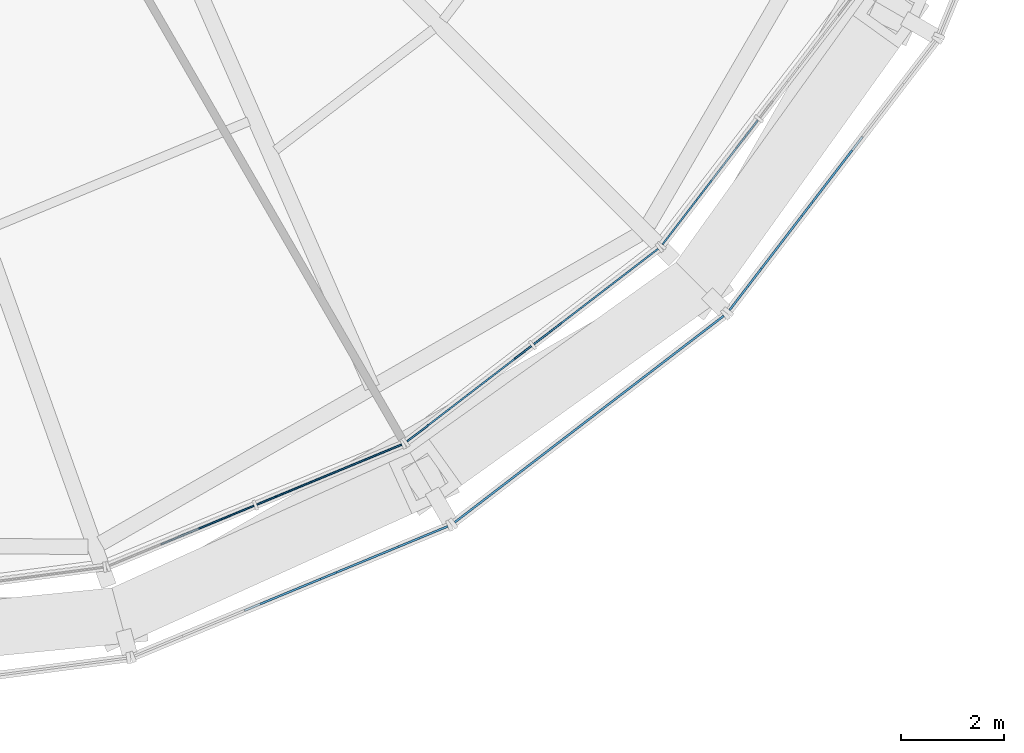
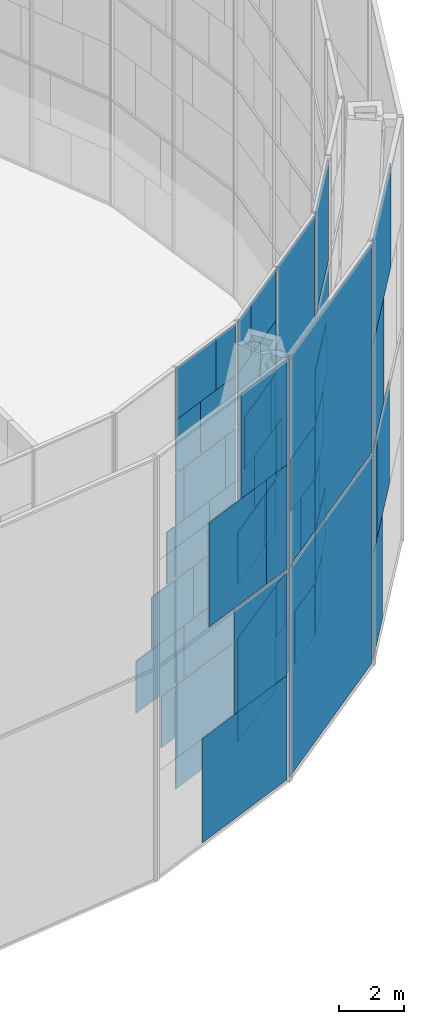
# One storey, part 18 of 30: 63 plates, 6 elements without a shape of their own.
"""IFC4 building model written with IfcOpenShell, lengths in metres."""

from ifc_helpers import new_model, si_unit, direction, frame, origin, origin_2d, place, context, subcontext, project, spatial, rectangle, extrude, material, layer, layer_set, type_object, element, aggregate, save


model = new_model("IFC4")

# Units and contexts
model_context = context("Model", 3, precision=1e-05, world=origin(), true_north=direction((0.0, 1.0)))
body_context = subcontext(model_context, "Body", "Model", "MODEL_VIEW")
ifc_project = project(units=[si_unit("LENGTHUNIT", "METRE"), si_unit("AREAUNIT", "SQUARE_METRE"), si_unit("VOLUMEUNIT", "CUBIC_METRE"), si_unit("PLANEANGLEUNIT", "RADIAN"), si_unit("MASSUNIT", "GRAM", prefix="KILO")], contexts=[model_context])

# Site, building, storey
site_placement = place(None, origin())
site = spatial("IfcSite", under=ifc_project, at=site_placement, CompositionType="ELEMENT")
building_placement = place(site_placement, origin())
building = spatial("IfcBuilding", under=site, at=building_placement, Name="Golbaran Civic Tower", CompositionType="ELEMENT")
storey_placement = place(building_placement, frame((0.0, 0.0, 167.0)))
storey = spatial("IfcBuildingStorey", under=building, at=storey_placement, Name="L40", CompositionType="ELEMENT", Elevation=167.0)

# Curtain wall, plates
ifc_material_1 = material(Name="Aluminium and glass", Category="aluminium")
curtain_wall_type_1 = type_object("IfcCurtainWallType", Name="INNER SKIN CURTAIN WALL EXECUTIVE", PredefinedType="NOTDEFINED", material=ifc_material_1)
curtain_wall_1_placement = place(storey_placement, origin())
curtain_wall_1 = element("IfcCurtainWall", 1, at=curtain_wall_1_placement, inside=storey, type_object=curtain_wall_type_1, Name="Inner skin L40 facet 20 CW2", ObjectType="INNER SKIN", PredefinedType="USERDEFINED")
ifc_material_2 = material(Name="Clear insulating glass", Category="glass")
ifc_layer_1 = layer(ifc_material_2, 0.031982421875, Name="Clear insulating glass")
ifc_layer_set_1 = layer_set([ifc_layer_1], Name="Clear insulating glass")
plate_type_1 = type_object("IfcPlateType", Name="INNER SKIN CURTAIN WALL EXECUTIVE GLAZED PANEL", PredefinedType="CURTAIN_PANEL", material=ifc_layer_set_1)
plate_1_placement = place(storey_placement, frame((8.7939453125, -22.20166015625, 2.014892578125), z_axis=(0.0, 0.0, 1.0), x_axis=(0.923879532471, 0.382683432462, 0.0)))
plate_1 = element("IfcPlate", 2, at=plate_1_placement, type_object=plate_type_1, Name="CW2 panel 1.1 part 4", PredefinedType="CURTAIN_PANEL", context=body_context, shape_type="SweptSolid", body=[
    extrude(rectangle(XDim=0.683349609375, YDim=0.031982421875, at=origin_2d()), origin(), (0.0, 0.0, 1.0), 1.955078125),
])
plate_2_placement = place(storey_placement, frame((10.575439453125, -21.463623046875, 0.06005859375), z_axis=(0.0, 0.0, 1.0), x_axis=(0.923879532471, 0.382683432462, 0.0)))
plate_2 = element("IfcPlate", 3, at=plate_2_placement, type_object=plate_type_1, Name="CW2 panel 2.1", PredefinedType="CURTAIN_PANEL", context=body_context, shape_type="SweptSolid", body=[
    extrude(rectangle(XDim=3.053466796875, YDim=0.031982421875, at=origin_2d()), origin(), (0.0, 0.0, 1.0), 3.909912109375),
])
plate_3_placement = place(storey_placement, frame((10.7607421875, -21.386962890625, 4.02978515625), z_axis=(0.0, 0.0, 1.0), x_axis=(0.923879532471, 0.382683432462, 0.0)))
plate_3 = element("IfcPlate", 4, at=plate_3_placement, type_object=plate_type_1, Name="CW2 panel 2.2 part 2", PredefinedType="CURTAIN_PANEL", context=body_context, shape_type="SweptSolid", body=[
    extrude(rectangle(XDim=2.65234375, YDim=0.031982421875, at=origin_2d()), origin(), (0.0, 0.0, 1.0), 1.969970703125),
])
plate_4_placement = place(storey_placement, frame((10.984375, -21.29443359375, 6.0), z_axis=(0.0, 0.0, 1.0), x_axis=(0.923879532471, 0.382683432462, 0.0)))
plate_4 = element("IfcPlate", 5, at=plate_4_placement, type_object=plate_type_1, Name="CW2 panel 2.2 part 4", PredefinedType="CURTAIN_PANEL", context=body_context, shape_type="SweptSolid", body=[
    extrude(rectangle(XDim=2.16845703125, YDim=0.031982421875, at=origin_2d()), origin(), (0.0, 0.0, 1.0), 1.969970703125),
])
plate_5_placement = place(storey_placement, frame((11.365966796875, -21.13623046875, 8.02978515625), z_axis=(0.0, 0.0, 1.0), x_axis=(0.923879532471, 0.382683432462, 0.0)))
plate_5 = element("IfcPlate", 6, at=plate_5_placement, type_object=plate_type_1, Name="CW2 panel 2.3 part 2", PredefinedType="CURTAIN_PANEL", context=body_context, shape_type="SweptSolid", body=[
    extrude(rectangle(XDim=1.342529296875, YDim=0.031982421875, at=origin_2d()), origin(), (0.0, 0.0, 1.0), 1.969970703125),
])
plate_6_placement = place(storey_placement, frame((9.35302734375, -21.969970703125, 10.0), z_axis=(0.0, 0.0, 1.0), x_axis=(0.923879532471, 0.382683432462, 0.0)))
plate_6 = element("IfcPlate", 7, at=plate_6_placement, type_object=plate_type_1, Name="CW2 panel 2.3 part 3", PredefinedType="CURTAIN_PANEL", context=body_context, shape_type="SweptSolid", body=[
    extrude(rectangle(XDim=0.406982421875, YDim=0.031982421875, at=origin_2d()), origin(), (0.0, 0.0, 1.0), 1.969970703125),
])
plate_7_placement = place(storey_placement, frame((11.73681640625, -20.982666015625, 10.0), z_axis=(0.0, 0.0, 1.0), x_axis=(0.923879532471, 0.382683432462, 0.0)))
plate_7 = element("IfcPlate", 8, at=plate_7_placement, type_object=plate_type_1, Name="CW2 panel 2.3 part 5", PredefinedType="CURTAIN_PANEL", context=body_context, shape_type="SweptSolid", body=[
    extrude(rectangle(XDim=0.53955078125, YDim=0.031982421875, at=origin_2d()), origin(), (0.0, 0.0, 1.0), 1.969970703125),
])
plate_8_placement = place(storey_placement, frame((9.735107421875, -21.811767578125, 12.030029296875), z_axis=(0.0, 0.0, 1.0), x_axis=(0.923879532471, 0.382683432462, 0.0)))
plate_8 = element("IfcPlate", 9, at=plate_8_placement, type_object=plate_type_1, Name="CW2 panel 2.4 part 1", PredefinedType="CURTAIN_PANEL", context=body_context, shape_type="SweptSolid", body=[
    extrude(rectangle(XDim=1.23388671875, YDim=0.031982421875, at=origin_2d()), origin(), (0.0, 0.0, 1.0), 1.955078125),
])
plate_9_placement = place(storey_placement, frame((10.102783203125, -21.659423828125, 13.98486328125), z_axis=(0.0, 0.0, 1.0), x_axis=(0.923879532471, 0.382683432462, 0.0)))
plate_9 = element("IfcPlate", 10, at=plate_9_placement, type_object=plate_type_1, Name="CW2 panel 2.4 part 3", PredefinedType="CURTAIN_PANEL", context=body_context, shape_type="SweptSolid", body=[
    extrude(rectangle(XDim=2.030029296875, YDim=0.031982421875, at=origin_2d()), origin(), (0.0, 0.0, 1.0), 1.955078125),
])

curtain_wall_2_placement = place(storey_placement, origin())
curtain_wall_2 = element("IfcCurtainWall", 11, at=curtain_wall_2_placement, inside=storey, type_object=curtain_wall_type_1, Name="Inner skin L40 facet 21 CW2", ObjectType="INNER SKIN", PredefinedType="USERDEFINED")
plate_10_placement = place(storey_placement, frame((13.30029296875, -19.890625, 0.06005859375), z_axis=(0.0, 0.0, 1.0), x_axis=(0.79335334027, 0.608761429036, 0.0)))
plate_10 = element("IfcPlate", 12, at=plate_10_placement, type_object=plate_type_1, Name="CW2 panel 1.1", PredefinedType="CURTAIN_PANEL", context=body_context, shape_type="SweptSolid", body=[
    extrude(rectangle(XDim=3.053466796875, YDim=0.031982421875, at=origin_2d()), origin(), (0.0, 0.0, 1.0), 3.909912109375),
])
plate_11_placement = place(storey_placement, frame((13.14111328125, -20.0126953125, 4.02978515625), z_axis=(0.0, 0.0, 1.0), x_axis=(0.79335334027, 0.608761429036, 0.0)))
plate_11 = element("IfcPlate", 13, at=plate_11_placement, type_object=plate_type_1, Name="CW2 panel 1.2 part 1", PredefinedType="CURTAIN_PANEL", context=body_context, shape_type="SweptSolid", body=[
    extrude(rectangle(XDim=2.652099609375, YDim=0.031982421875, at=origin_2d()), origin(), (0.0, 0.0, 1.0), 1.969970703125),
])
plate_12_placement = place(storey_placement, frame((12.949462890625, -20.15966796875, 6.0), z_axis=(0.0, 0.0, 1.0), x_axis=(0.79335334027, 0.608761429036, 0.0)))
plate_12 = element("IfcPlate", 14, at=plate_12_placement, type_object=plate_type_1, Name="CW2 panel 1.2 part 3", PredefinedType="CURTAIN_PANEL", context=body_context, shape_type="SweptSolid", body=[
    extrude(rectangle(XDim=2.1689453125, YDim=0.031982421875, at=origin_2d()), origin(), (0.0, 0.0, 1.0), 1.969970703125),
])
plate_13_placement = place(storey_placement, frame((12.621337890625, -20.411376953125, 8.02978515625), z_axis=(0.0, 0.0, 1.0), x_axis=(0.79335334027, 0.608761429036, 0.0)))
plate_13 = element("IfcPlate", 15, at=plate_13_placement, type_object=plate_type_1, Name="CW2 panel 1.3 part 1", PredefinedType="CURTAIN_PANEL", context=body_context, shape_type="SweptSolid", body=[
    extrude(rectangle(XDim=1.342041015625, YDim=0.031982421875, at=origin_2d()), origin(), (0.0, 0.0, 1.0), 1.969970703125),
])
plate_14_placement = place(storey_placement, frame((12.30322265625, -20.655517578125, 10.0), z_axis=(0.0, 0.0, 1.0), x_axis=(0.79335334027, 0.608761429036, 0.0)))
plate_14 = element("IfcPlate", 16, at=plate_14_placement, type_object=plate_type_1, Name="CW2 panel 1.3 part 3", PredefinedType="CURTAIN_PANEL", context=body_context, shape_type="SweptSolid", body=[
    extrude(rectangle(XDim=0.5400390625, YDim=0.031982421875, at=origin_2d()), origin(), (0.0, 0.0, 1.0), 1.969970703125),
])
plate_15_placement = place(storey_placement, frame((14.349853515625, -19.085205078125, 10.0), z_axis=(0.0, 0.0, 1.0), x_axis=(0.79335334027, 0.608761429036, 0.0)))
plate_15 = element("IfcPlate", 17, at=plate_15_placement, type_object=plate_type_1, Name="CW2 panel 1.3 part 5", PredefinedType="CURTAIN_PANEL", context=body_context, shape_type="SweptSolid", body=[
    extrude(rectangle(XDim=0.407470703125, YDim=0.031982421875, at=origin_2d()), origin(), (0.0, 0.0, 1.0), 1.969970703125),
])
plate_16_placement = place(storey_placement, frame((14.022216796875, -19.336669921875, 12.030029296875), z_axis=(0.0, 0.0, 1.0), x_axis=(0.79335334027, 0.608761429036, 0.0)))
plate_16 = element("IfcPlate", 18, at=plate_16_placement, type_object=plate_type_1, Name="CW2 panel 1.4 part 2", PredefinedType="CURTAIN_PANEL", context=body_context, shape_type="SweptSolid", body=[
    extrude(rectangle(XDim=1.2333984375, YDim=0.031982421875, at=origin_2d()), origin(), (0.0, 0.0, 1.0), 1.955078125),
])
plate_17_placement = place(storey_placement, frame((13.70654296875, -19.578857421875, 13.98486328125), z_axis=(0.0, 0.0, 1.0), x_axis=(0.79335334027, 0.608761429036, 0.0)))
plate_17 = element("IfcPlate", 19, at=plate_17_placement, type_object=plate_type_1, Name="CW2 panel 1.4 part 4", PredefinedType="CURTAIN_PANEL", context=body_context, shape_type="SweptSolid", body=[
    extrude(rectangle(XDim=2.029541015625, YDim=0.031982421875, at=origin_2d()), origin(), (0.0, 0.0, 1.0), 1.955078125),
])
plate_18_placement = place(storey_placement, frame((15.146240234375, -18.47412109375, 0.06005859375), z_axis=(0.0, 0.0, 1.0), x_axis=(0.79335334027, 0.608761429036, 0.0)))
plate_18 = element("IfcPlate", 20, at=plate_18_placement, type_object=plate_type_1, Name="CW2 panel 2.1 part 1", PredefinedType="CURTAIN_PANEL", context=body_context, shape_type="SweptSolid", body=[
    extrude(rectangle(XDim=1.47998046875, YDim=0.031982421875, at=origin_2d()), origin(), (0.0, 0.0, 1.0), 1.955078125),
])
plate_19_placement = place(storey_placement, frame((14.83056640625, -18.71630859375, 2.014892578125), z_axis=(0.0, 0.0, 1.0), x_axis=(0.79335334027, 0.608761429036, 0.0)))
plate_19 = element("IfcPlate", 21, at=plate_19_placement, type_object=plate_type_1, Name="CW2 panel 2.1 part 3", PredefinedType="CURTAIN_PANEL", context=body_context, shape_type="SweptSolid", body=[
    extrude(rectangle(XDim=0.68408203125, YDim=0.031982421875, at=origin_2d()), origin(), (0.0, 0.0, 1.0), 1.955078125),
])
plate_20_placement = place(storey_placement, frame((16.549560546875, -17.3974609375, 4.02978515625), z_axis=(0.0, 0.0, 1.0), x_axis=(0.79335334027, 0.608761429036, 0.0)))
plate_20 = element("IfcPlate", 22, at=plate_20_placement, type_object=plate_type_1, Name="CW2 panel 2.2 part 2", PredefinedType="CURTAIN_PANEL", context=body_context, shape_type="SweptSolid", body=[
    extrude(rectangle(XDim=1.08935546875, YDim=0.031982421875, at=origin_2d()), origin(), (0.0, 0.0, 1.0), 1.969970703125),
])
plate_21_placement = place(storey_placement, frame((16.23095703125, -17.641845703125, 6.0), z_axis=(0.0, 0.0, 1.0), x_axis=(0.79335334027, 0.608761429036, 0.0)))
plate_21 = element("IfcPlate", 23, at=plate_21_placement, type_object=plate_type_1, Name="CW2 panel 2.2 part 4", PredefinedType="CURTAIN_PANEL", context=body_context, shape_type="SweptSolid", body=[
    extrude(rectangle(XDim=1.892578125, YDim=0.031982421875, at=origin_2d()), origin(), (0.0, 0.0, 1.0), 1.969970703125),
])
plate_22_placement = place(storey_placement, frame((15.929443359375, -17.873046875, 8.02978515625), z_axis=(0.0, 0.0, 1.0), x_axis=(0.79335334027, 0.608761429036, 0.0)))
plate_22 = element("IfcPlate", 24, at=plate_22_placement, type_object=plate_type_1, Name="CW2 panel 2.3 part 2", PredefinedType="CURTAIN_PANEL", context=body_context, shape_type="SweptSolid", body=[
    extrude(rectangle(XDim=2.65234375, YDim=0.031982421875, at=origin_2d()), origin(), (0.0, 0.0, 1.0), 1.969970703125),
])
plate_23_placement = place(storey_placement, frame((15.7705078125, -17.9951171875, 10.0), z_axis=(0.0, 0.0, 1.0), x_axis=(0.79335334027, 0.608761429036, 0.0)))
plate_23 = element("IfcPlate", 25, at=plate_23_placement, type_object=plate_type_1, Name="CW2 panel 2.3 part 3", PredefinedType="CURTAIN_PANEL", context=body_context, shape_type="SweptSolid", body=[
    extrude(rectangle(XDim=3.053466796875, YDim=0.031982421875, at=origin_2d()), origin(), (0.0, 0.0, 1.0), 1.969970703125),
])
plate_24_placement = place(storey_placement, frame((15.7705078125, -17.9951171875, 12.0302734375), z_axis=(0.0, 0.0, 1.0), x_axis=(0.79335334027, 0.608761429036, 0.0)))
plate_24 = element("IfcPlate", 26, at=plate_24_placement, type_object=plate_type_1, Name="CW2 panel 2.4", PredefinedType="CURTAIN_PANEL", context=body_context, shape_type="SweptSolid", body=[
    extrude(rectangle(XDim=3.053466796875, YDim=0.031982421875, at=origin_2d()), origin(), (0.0, 0.0, 1.0), 3.909912109375),
])

curtain_wall_3_placement = place(storey_placement, origin())
curtain_wall_3 = element("IfcCurtainWall", 27, at=curtain_wall_3_placement, inside=storey, type_object=curtain_wall_type_1, Name="Inner skin L40 facet 22 CW2", ObjectType="INNER SKIN", PredefinedType="USERDEFINED")
plate_25_placement = place(storey_placement, frame((17.3974609375, -16.54931640625, 4.02978515625), z_axis=(0.0, 0.0, 1.0), x_axis=(0.608761429036, 0.79335334027, 0.0)))
plate_25 = element("IfcPlate", 28, at=plate_25_placement, type_object=plate_type_1, Name="CW2 panel 1.2 part 1", PredefinedType="CURTAIN_PANEL", context=body_context, shape_type="SweptSolid", body=[
    extrude(rectangle(XDim=1.090087890625, YDim=0.031982421875, at=origin_2d()), origin(), (0.0, 0.0, 1.0), 1.969970703125),
])
plate_26_placement = place(storey_placement, frame((17.6416015625, -16.231201171875, 6.0), z_axis=(0.0, 0.0, 1.0), x_axis=(0.608761429036, 0.79335334027, 0.0)))
plate_26 = element("IfcPlate", 29, at=plate_26_placement, type_object=plate_type_1, Name="CW2 panel 1.2 part 3", PredefinedType="CURTAIN_PANEL", context=body_context, shape_type="SweptSolid", body=[
    extrude(rectangle(XDim=1.89208984375, YDim=0.031982421875, at=origin_2d()), origin(), (0.0, 0.0, 1.0), 1.969970703125),
])
plate_27_placement = place(storey_placement, frame((17.873046875, -15.9296875, 8.02978515625), z_axis=(0.0, 0.0, 1.0), x_axis=(0.608761429036, 0.79335334027, 0.0)))
plate_27 = element("IfcPlate", 30, at=plate_27_placement, type_object=plate_type_1, Name="CW2 panel 1.3 part 1", PredefinedType="CURTAIN_PANEL", context=body_context, shape_type="SweptSolid", body=[
    extrude(rectangle(XDim=2.652099609375, YDim=0.031982421875, at=origin_2d()), origin(), (0.0, 0.0, 1.0), 1.969970703125),
])
plate_28_placement = place(storey_placement, frame((17.9951171875, -15.7705078125, 10.0), z_axis=(0.0, 0.0, 1.0), x_axis=(0.608761429036, 0.79335334027, 0.0)))
plate_28 = element("IfcPlate", 31, at=plate_28_placement, type_object=plate_type_1, Name="CW2 panel 1.3 part 3", PredefinedType="CURTAIN_PANEL", context=body_context, shape_type="SweptSolid", body=[
    extrude(rectangle(XDim=3.053466796875, YDim=0.031982421875, at=origin_2d()), origin(), (0.0, 0.0, 1.0), 1.969970703125),
])
plate_29_placement = place(storey_placement, frame((17.9951171875, -15.7705078125, 12.0302734375), z_axis=(0.0, 0.0, 1.0), x_axis=(0.608761429036, 0.79335334027, 0.0)))
plate_29 = element("IfcPlate", 32, at=plate_29_placement, type_object=plate_type_1, Name="CW2 panel 1.4", PredefinedType="CURTAIN_PANEL", context=body_context, shape_type="SweptSolid", body=[
    extrude(rectangle(XDim=3.053466796875, YDim=0.031982421875, at=origin_2d()), origin(), (0.0, 0.0, 1.0), 3.909912109375),
])

# Plate
ifc_material_3 = material(Name="Aluminium faced opaque infill panel", Category="aluminium")
ifc_layer_2 = layer(ifc_material_3, 0.031982421875, Name="Aluminium faced opaque infill panel")
ifc_layer_set_2 = layer_set([ifc_layer_2], Name="Aluminium faced opaque infill panel")
plate_type_2 = type_object("IfcPlateType", Name="INNER SKIN CURTAIN WALL EXECUTIVE OPAQUE INFILL PANEL", PredefinedType="CURTAIN_PANEL", material=ifc_layer_set_2)
plate_30_placement = place(storey_placement, frame((8.20263671875, -22.446533203125, 4.02978515625), z_axis=(0.0, 0.0, 1.0), x_axis=(0.923879532471, 0.382683432462, 0.0)))
plate_30 = element("IfcPlate", 33, at=plate_30_placement, type_object=plate_type_2, Name="CW2 infill panel 1.2 part 2", PredefinedType="CURTAIN_PANEL", context=body_context, shape_type="SweptSolid", body=[
    extrude(rectangle(XDim=1.96337890625, YDim=0.031982421875, at=origin_2d()), origin(), (0.0, 0.0, 1.0), 1.969970703125),
])

plate_31_placement = place(storey_placement, frame((8.572998046875, -22.293212890625, 6.0), z_axis=(0.0, 0.0, 1.0), x_axis=(0.923879532471, 0.382683432462, 0.0)))
plate_31 = element("IfcPlate", 34, at=plate_31_placement, type_object=plate_type_2, Name="CW2 infill panel 1.2 part 4", PredefinedType="CURTAIN_PANEL", context=body_context, shape_type="SweptSolid", body=[
    extrude(rectangle(XDim=1.161376953125, YDim=0.031982421875, at=origin_2d()), origin(), (0.0, 0.0, 1.0), 1.969970703125),
])

plate_32_placement = place(storey_placement, frame((8.924072265625, -22.147705078125, 8.02978515625), z_axis=(0.0, 0.0, 1.0), x_axis=(0.923879532471, 0.382683432462, 0.0)))
plate_32 = element("IfcPlate", 35, at=plate_32_placement, type_object=plate_type_2, Name="CW2 infill panel 1.3 part 2", PredefinedType="CURTAIN_PANEL", context=body_context, shape_type="SweptSolid", body=[
    extrude(rectangle(XDim=0.4013671875, YDim=0.031982421875, at=origin_2d()), origin(), (0.0, 0.0, 1.0), 1.969970703125),
])

plate_33_placement = place(storey_placement, frame((9.350341796875, -21.97119140625, 4.02978515625), z_axis=(0.0, 0.0, 1.0), x_axis=(0.923879532471, 0.382683432462, 0.0)))
plate_33 = element("IfcPlate", 36, at=plate_33_placement, type_object=plate_type_2, Name="CW2 infill panel 2.2 part 1", PredefinedType="CURTAIN_PANEL", context=body_context, shape_type="SweptSolid", body=[
    extrude(rectangle(XDim=0.40087890625, YDim=0.031982421875, at=origin_2d()), origin(), (0.0, 0.0, 1.0), 1.969970703125),
])

plate_34_placement = place(storey_placement, frame((9.573974609375, -21.878662109375, 6.0), z_axis=(0.0, 0.0, 1.0), x_axis=(0.923879532471, 0.382683432462, 0.0)))
plate_34 = element("IfcPlate", 37, at=plate_34_placement, type_object=plate_type_2, Name="CW2 infill panel 2.2 part 3", PredefinedType="CURTAIN_PANEL", context=body_context, shape_type="SweptSolid", body=[
    extrude(rectangle(XDim=0.885009765625, YDim=0.031982421875, at=origin_2d()), origin(), (0.0, 0.0, 1.0), 1.969970703125),
])

plate_35_placement = place(storey_placement, frame((9.955322265625, -21.720458984375, 8.02978515625), z_axis=(0.0, 0.0, 1.0), x_axis=(0.923879532471, 0.382683432462, 0.0)))
plate_35 = element("IfcPlate", 38, at=plate_35_placement, type_object=plate_type_2, Name="CW2 infill panel 2.3 part 1", PredefinedType="CURTAIN_PANEL", context=body_context, shape_type="SweptSolid", body=[
    extrude(rectangle(XDim=1.7109375, YDim=0.031982421875, at=origin_2d()), origin(), (0.0, 0.0, 1.0), 1.969970703125),
])

plate_36_placement = place(storey_placement, frame((10.514404296875, -21.489013671875, 10.0), z_axis=(0.0, 0.0, 1.0), x_axis=(0.923879532471, 0.382683432462, 0.0)))
plate_36 = element("IfcPlate", 39, at=plate_36_placement, type_object=plate_type_2, Name="CW2 infill panel 2.3 part 4", PredefinedType="CURTAIN_PANEL", context=body_context, shape_type="SweptSolid", body=[
    extrude(rectangle(XDim=2.10693359375, YDim=0.031982421875, at=origin_2d()), origin(), (0.0, 0.0, 1.0), 1.969970703125),
])

plate_37_placement = place(storey_placement, frame((11.1455078125, -21.2275390625, 12.030029296875), z_axis=(0.0, 0.0, 1.0), x_axis=(0.923879532471, 0.382683432462, 0.0)))
plate_37 = element("IfcPlate", 40, at=plate_37_placement, type_object=plate_type_2, Name="CW2 infill panel 2.4 part 2", PredefinedType="CURTAIN_PANEL", context=body_context, shape_type="SweptSolid", body=[
    extrude(rectangle(XDim=1.819580078125, YDim=0.031982421875, at=origin_2d()), origin(), (0.0, 0.0, 1.0), 1.955078125),
])

plate_38_placement = place(storey_placement, frame((11.51318359375, -21.0751953125, 13.98486328125), z_axis=(0.0, 0.0, 1.0), x_axis=(0.923879532471, 0.382683432462, 0.0)))
plate_38 = element("IfcPlate", 41, at=plate_38_placement, type_object=plate_type_2, Name="CW2 infill panel 2.4 part 4", PredefinedType="CURTAIN_PANEL", context=body_context, shape_type="SweptSolid", body=[
    extrude(rectangle(XDim=1.0234375, YDim=0.031982421875, at=origin_2d()), origin(), (0.0, 0.0, 1.0), 1.955078125),
])

aggregate(curtain_wall_1, [plate_1, plate_30, plate_31, plate_32, plate_2, plate_33, plate_3, plate_34, plate_4, plate_35, plate_5, plate_6, plate_36, plate_7, plate_8, plate_37, plate_9, plate_38])

plate_39_placement = place(storey_placement, frame((14.352294921875, -19.083251953125, 4.02978515625), z_axis=(0.0, 0.0, 1.0), x_axis=(0.79335334027, 0.608761429036, 0.0)))
plate_39 = element("IfcPlate", 42, at=plate_39_placement, type_object=plate_type_2, Name="CW2 infill panel 1.2 part 2", PredefinedType="CURTAIN_PANEL", context=body_context, shape_type="SweptSolid", body=[
    extrude(rectangle(XDim=0.4013671875, YDim=0.031982421875, at=origin_2d()), origin(), (0.0, 0.0, 1.0), 1.969970703125),
])

plate_40_placement = place(storey_placement, frame((14.16064453125, -19.23046875, 6.0), z_axis=(0.0, 0.0, 1.0), x_axis=(0.79335334027, 0.608761429036, 0.0)))
plate_40 = element("IfcPlate", 43, at=plate_40_placement, type_object=plate_type_2, Name="CW2 infill panel 1.2 part 4", PredefinedType="CURTAIN_PANEL", context=body_context, shape_type="SweptSolid", body=[
    extrude(rectangle(XDim=0.884521484375, YDim=0.031982421875, at=origin_2d()), origin(), (0.0, 0.0, 1.0), 1.969970703125),
])

plate_41_placement = place(storey_placement, frame((13.832763671875, -19.482177734375, 8.02978515625), z_axis=(0.0, 0.0, 1.0), x_axis=(0.79335334027, 0.608761429036, 0.0)))
plate_41 = element("IfcPlate", 44, at=plate_41_placement, type_object=plate_type_2, Name="CW2 infill panel 1.3 part 2", PredefinedType="CURTAIN_PANEL", context=body_context, shape_type="SweptSolid", body=[
    extrude(rectangle(XDim=1.71142578125, YDim=0.031982421875, at=origin_2d()), origin(), (0.0, 0.0, 1.0), 1.969970703125),
])

plate_42_placement = place(storey_placement, frame((13.35302734375, -19.85009765625, 10.0), z_axis=(0.0, 0.0, 1.0), x_axis=(0.79335334027, 0.608761429036, 0.0)))
plate_42 = element("IfcPlate", 45, at=plate_42_placement, type_object=plate_type_2, Name="CW2 infill panel 1.3 part 4", PredefinedType="CURTAIN_PANEL", context=body_context, shape_type="SweptSolid", body=[
    extrude(rectangle(XDim=2.10595703125, YDim=0.031982421875, at=origin_2d()), origin(), (0.0, 0.0, 1.0), 1.969970703125),
])

plate_43_placement = place(storey_placement, frame((12.81103515625, -20.26611328125, 12.030029296875), z_axis=(0.0, 0.0, 1.0), x_axis=(0.79335334027, 0.608761429036, 0.0)))
plate_43 = element("IfcPlate", 46, at=plate_43_placement, type_object=plate_type_2, Name="CW2 infill panel 1.4 part 1", PredefinedType="CURTAIN_PANEL", context=body_context, shape_type="SweptSolid", body=[
    extrude(rectangle(XDim=1.820068359375, YDim=0.031982421875, at=origin_2d()), origin(), (0.0, 0.0, 1.0), 1.955078125),
])

plate_44_placement = place(storey_placement, frame((12.495361328125, -20.50830078125, 13.98486328125), z_axis=(0.0, 0.0, 1.0), x_axis=(0.79335334027, 0.608761429036, 0.0)))
plate_44 = element("IfcPlate", 47, at=plate_44_placement, type_object=plate_type_2, Name="CW2 infill panel 1.4 part 3", PredefinedType="CURTAIN_PANEL", context=body_context, shape_type="SweptSolid", body=[
    extrude(rectangle(XDim=1.02392578125, YDim=0.031982421875, at=origin_2d()), origin(), (0.0, 0.0, 1.0), 1.955078125),
])

plate_45_placement = place(storey_placement, frame((16.357421875, -17.544677734375, 0.06005859375), z_axis=(0.0, 0.0, 1.0), x_axis=(0.79335334027, 0.608761429036, 0.0)))
plate_45 = element("IfcPlate", 48, at=plate_45_placement, type_object=plate_type_2, Name="CW2 infill panel 2.1 part 2", PredefinedType="CURTAIN_PANEL", context=body_context, shape_type="SweptSolid", body=[
    extrude(rectangle(XDim=1.573486328125, YDim=0.031982421875, at=origin_2d()), origin(), (0.0, 0.0, 1.0), 1.955078125),
])

plate_46_placement = place(storey_placement, frame((16.041748046875, -17.787109375, 2.014892578125), z_axis=(0.0, 0.0, 1.0), x_axis=(0.79335334027, 0.608761429036, 0.0)))
plate_46 = element("IfcPlate", 49, at=plate_46_placement, type_object=plate_type_2, Name="CW2 infill panel 2.1 part 4", PredefinedType="CURTAIN_PANEL", context=body_context, shape_type="SweptSolid", body=[
    extrude(rectangle(XDim=2.369384765625, YDim=0.031982421875, at=origin_2d()), origin(), (0.0, 0.0, 1.0), 1.955078125),
])

plate_47_placement = place(storey_placement, frame((15.338134765625, -18.326904296875, 4.02978515625), z_axis=(0.0, 0.0, 1.0), x_axis=(0.79335334027, 0.608761429036, 0.0)))
plate_47 = element("IfcPlate", 50, at=plate_47_placement, type_object=plate_type_2, Name="CW2 infill panel 2.2 part 1", PredefinedType="CURTAIN_PANEL", context=body_context, shape_type="SweptSolid", body=[
    extrude(rectangle(XDim=1.964111328125, YDim=0.031982421875, at=origin_2d()), origin(), (0.0, 0.0, 1.0), 1.969970703125),
])

plate_48_placement = place(storey_placement, frame((15.019775390625, -18.5712890625, 6.0), z_axis=(0.0, 0.0, 1.0), x_axis=(0.79335334027, 0.608761429036, 0.0)))
plate_48 = element("IfcPlate", 51, at=plate_48_placement, type_object=plate_type_2, Name="CW2 infill panel 2.2 part 3", PredefinedType="CURTAIN_PANEL", context=body_context, shape_type="SweptSolid", body=[
    extrude(rectangle(XDim=1.160888671875, YDim=0.031982421875, at=origin_2d()), origin(), (0.0, 0.0, 1.0), 1.969970703125),
])

plate_49_placement = place(storey_placement, frame((14.71826171875, -18.802490234375, 8.02978515625), z_axis=(0.0, 0.0, 1.0), x_axis=(0.79335334027, 0.608761429036, 0.0)))
plate_49 = element("IfcPlate", 52, at=plate_49_placement, type_object=plate_type_2, Name="CW2 infill panel 2.3 part 1", PredefinedType="CURTAIN_PANEL", context=body_context, shape_type="SweptSolid", body=[
    extrude(rectangle(XDim=0.40087890625, YDim=0.031982421875, at=origin_2d()), origin(), (0.0, 0.0, 1.0), 1.969970703125),
])

aggregate(curtain_wall_2, [plate_10, plate_11, plate_39, plate_12, plate_40, plate_13, plate_41, plate_14, plate_42, plate_15, plate_43, plate_16, plate_44, plate_17, plate_18, plate_45, plate_19, plate_46, plate_47, plate_20, plate_48, plate_21, plate_49, plate_22, plate_23, plate_24])

plate_50_placement = place(storey_placement, frame((17.544921875, -16.357177734375, 0.06005859375), z_axis=(0.0, 0.0, 1.0), x_axis=(0.608761429036, 0.79335334027, 0.0)))
plate_50 = element("IfcPlate", 53, at=plate_50_placement, type_object=plate_type_2, Name="CW2 infill panel 1.1 part 1", PredefinedType="CURTAIN_PANEL", context=body_context, shape_type="SweptSolid", body=[
    extrude(rectangle(XDim=1.573974609375, YDim=0.031982421875, at=origin_2d()), origin(), (0.0, 0.0, 1.0), 1.955078125),
])

plate_51_placement = place(storey_placement, frame((17.787109375, -16.04150390625, 2.014892578125), z_axis=(0.0, 0.0, 1.0), x_axis=(0.608761429036, 0.79335334027, 0.0)))
plate_51 = element("IfcPlate", 54, at=plate_51_placement, type_object=plate_type_2, Name="CW2 infill panel 1.1 part 3", PredefinedType="CURTAIN_PANEL", context=body_context, shape_type="SweptSolid", body=[
    extrude(rectangle(XDim=2.3701171875, YDim=0.031982421875, at=origin_2d()), origin(), (0.0, 0.0, 1.0), 1.955078125),
])

aggregate(curtain_wall_3, [plate_50, plate_51, plate_25, plate_26, plate_27, plate_28, plate_29])

# Curtain wall, plates
curtain_wall_type_2 = type_object("IfcCurtainWallType", Name="OUTER SKIN TERRACOTTA SCREEN", PredefinedType="NOTDEFINED", material=ifc_material_1)
curtain_wall_4_placement = place(storey_placement, origin())
curtain_wall_4 = element("IfcCurtainWall", 55, at=curtain_wall_4_placement, inside=storey, type_object=curtain_wall_type_2, Name="Outer skin L40 facet 20 CW3", ObjectType="OUTER SKIN", PredefinedType="USERDEFINED")
ifc_material_4 = material(Name="Clear laminated glass", Category="glass")
ifc_layer_3 = layer(ifc_material_4, 0.0400390625, Name="Clear laminated glass")
ifc_layer_set_3 = layer_set([ifc_layer_3], Name="Clear laminated glass")
plate_type_3 = type_object("IfcPlateType", Name="OUTER SKIN CLEAR GLASS PANEL", PredefinedType="CURTAIN_PANEL", material=ifc_layer_set_3)
plate_52_placement = place(storey_placement, frame((10.9033203125, -23.291748046875, -0.6298828125), z_axis=(0.0, 0.0, 1.0), x_axis=(0.923879532471, 0.382683432462, 0.0)))
plate_52 = element("IfcPlate", 56, at=plate_52_placement, type_object=plate_type_3, Name="CW3 panel 1.1 part 2", PredefinedType="CURTAIN_PANEL", context=body_context, shape_type="SweptSolid", body=[
    extrude(rectangle(XDim=4.28466796875, YDim=0.0400390625, at=origin_2d()), origin(), (0.0, 0.0, 1.0), 3.93994140625),
])
plate_53_placement = place(storey_placement, frame((11.644287109375, -22.98486328125, 3.31005859375), z_axis=(0.0, 0.0, 1.0), x_axis=(0.923879532471, 0.382683432462, 0.0)))
plate_53 = element("IfcPlate", 57, at=plate_53_placement, type_object=plate_type_3, Name="CW3 panel 1.1 part 5", PredefinedType="CURTAIN_PANEL", context=body_context, shape_type="SweptSolid", body=[
    extrude(rectangle(XDim=2.6806640625, YDim=0.0400390625, at=origin_2d()), origin(), (0.0, 0.0, 1.0), 3.93994140625),
])
plate_54_placement = place(storey_placement, frame((12.400390625, -22.671630859375, 7.330078125), z_axis=(0.0, 0.0, 1.0), x_axis=(0.923879532471, 0.382683432462, 0.0)))
plate_54 = element("IfcPlate", 58, at=plate_54_placement, type_object=plate_type_3, Name="CW3 panel 1.2 part 3", PredefinedType="CURTAIN_PANEL", context=body_context, shape_type="SweptSolid", body=[
    extrude(rectangle(XDim=1.043701171875, YDim=0.0400390625, at=origin_2d()), origin(), (0.0, 0.0, 1.0), 3.93994140625),
])

curtain_wall_5_placement = place(storey_placement, origin())
curtain_wall_5 = element("IfcCurtainWall", 59, at=curtain_wall_5_placement, inside=storey, type_object=curtain_wall_type_2, Name="Outer skin L40 facet 22 CW3", ObjectType="OUTER SKIN", PredefinedType="USERDEFINED")
plate_55_placement = place(storey_placement, frame((18.68115234375, -17.856689453125, 3.31005859375), z_axis=(0.0, 0.0, 1.0), x_axis=(0.608761428967, 0.793353340323, 0.0)))
plate_55 = element("IfcPlate", 60, at=plate_55_placement, type_object=plate_type_3, Name="CW3 panel 1.1 part 3", PredefinedType="CURTAIN_PANEL", context=body_context, shape_type="SweptSolid", body=[
    extrude(rectangle(XDim=1.01611328125, YDim=0.0400390625, at=origin_2d()), origin(), (0.0, 0.0, 1.0), 3.93994140625),
])
plate_56_placement = place(storey_placement, frame((19.17919921875, -17.207763671875, 7.330078125), z_axis=(0.0, 0.0, 1.0), x_axis=(0.608761428967, 0.793353340323, 0.0)))
plate_56 = element("IfcPlate", 61, at=plate_56_placement, type_object=plate_type_3, Name="CW3 panel 1.2 part 1", PredefinedType="CURTAIN_PANEL", context=body_context, shape_type="SweptSolid", body=[
    extrude(rectangle(XDim=2.652099609375, YDim=0.0400390625, at=origin_2d()), origin(), (0.0, 0.0, 1.0), 3.93994140625),
])
plate_57_placement = place(storey_placement, frame((19.66796875, -16.57080078125, 11.27001953125), z_axis=(0.0, 0.0, 1.0), x_axis=(0.608761428967, 0.793353340323, 0.0)))
plate_57 = element("IfcPlate", 62, at=plate_57_placement, type_object=plate_type_3, Name="CW3 panel 1.2 part 4", PredefinedType="CURTAIN_PANEL", context=body_context, shape_type="SweptSolid", body=[
    extrude(rectangle(XDim=4.258056640625, YDim=0.0400390625, at=origin_2d()), origin(), (0.0, 0.0, 1.0), 3.93994140625),
])

# Plate
ifc_material_5 = material(Name="Terracotta baguette screen", Category="masonry")
ifc_layer_4 = layer(ifc_material_5, 0.0400390625, Name="Terracotta baguette screen")
ifc_layer_set_4 = layer_set([ifc_layer_4], Name="Terracotta baguette screen")
plate_type_4 = type_object("IfcPlateType", Name="OUTER SKIN TERRACOTTA INFILL PANEL", PredefinedType="CURTAIN_PANEL", material=ifc_layer_set_4)
plate_58_placement = place(storey_placement, frame((10.57470703125, -23.427978515625, 7.330078125), z_axis=(0.0, 0.0, 1.0), x_axis=(0.923879532471, 0.382683432462, 0.0)))
plate_58 = element("IfcPlate", 63, at=plate_58_placement, type_object=plate_type_4, Name="CW3 infill panel 1.2 part 2", PredefinedType="CURTAIN_PANEL", context=body_context, shape_type="SweptSolid", body=[
    extrude(rectangle(XDim=2.908935546875, YDim=0.0400390625, at=origin_2d()), origin(), (0.0, 0.0, 1.0), 3.93994140625),
])

plate_59_placement = place(storey_placement, frame((11.798583984375, -22.9208984375, 11.27001953125), z_axis=(0.0, 0.0, 1.0), x_axis=(0.923879532471, 0.382683432462, 0.0)))
plate_59 = element("IfcPlate", 64, at=plate_59_placement, type_object=plate_type_4, Name="CW3 infill panel 1.2 part 5", PredefinedType="CURTAIN_PANEL", context=body_context, shape_type="SweptSolid", body=[
    extrude(rectangle(XDim=2.3466796875, YDim=0.0400390625, at=origin_2d()), origin(), (0.0, 0.0, 1.0), 3.93994140625),
])

aggregate(curtain_wall_4, [plate_52, plate_53, plate_58, plate_54, plate_59])

plate_60_placement = place(storey_placement, frame((19.078125, -17.339599609375, -0.6298828125), z_axis=(0.0, 0.0, 1.0), x_axis=(0.608761428967, 0.793353340323, 0.0)))
plate_60 = element("IfcPlate", 65, at=plate_60_placement, type_object=plate_type_4, Name="CW3 infill panel 1.1 part 1", PredefinedType="CURTAIN_PANEL", context=body_context, shape_type="SweptSolid", body=[
    extrude(rectangle(XDim=2.320068359375, YDim=0.0400390625, at=origin_2d()), origin(), (0.0, 0.0, 1.0), 3.93994140625),
])

plate_61_placement = place(storey_placement, frame((19.87548828125, -16.30029296875, 3.31005859375), z_axis=(0.0, 0.0, 1.0), x_axis=(0.608761428967, 0.793353340323, 0.0)))
plate_61 = element("IfcPlate", 66, at=plate_61_placement, type_object=plate_type_4, Name="CW3 infill panel 1.1 part 4", PredefinedType="CURTAIN_PANEL", context=body_context, shape_type="SweptSolid", body=[
    extrude(rectangle(XDim=2.907958984375, YDim=0.0400390625, at=origin_2d()), origin(), (0.0, 0.0, 1.0), 3.93994140625),
])

aggregate(curtain_wall_5, [plate_60, plate_55, plate_61, plate_56, plate_57])

# Curtain wall, plates
curtain_wall_6_placement = place(storey_placement, origin())
curtain_wall_6 = element("IfcCurtainWall", 67, at=curtain_wall_6_placement, inside=storey, type_object=curtain_wall_type_2, Name="Outer skin L40 facet 21 CW3", ObjectType="OUTER SKIN", PredefinedType="USERDEFINED")
ifc_layer_5 = layer(ifc_material_5, 0.0400390625, Name="Terracotta baguette screen")
ifc_layer_set_5 = layer_set([ifc_layer_5], Name="Terracotta baguette screen")
plate_type_5 = type_object("IfcPlateType", Name="OUTER SKIN TERRACOTTA SCREEN PANEL", PredefinedType="CURTAIN_PANEL", material=ifc_layer_set_5)
plate_62_placement = place(storey_placement, frame((15.639892578125, -20.38232421875, -0.6298828125), z_axis=(0.0, 0.0, 1.0), x_axis=(0.793353340323, 0.608761428967, 0.0)))
plate_62 = element("IfcPlate", 68, at=plate_62_placement, type_object=plate_type_5, Name="CW3 terracotta screen panel 1.1", PredefinedType="CURTAIN_PANEL", context=body_context, shape_type="SweptSolid", body=[
    extrude(rectangle(XDim=6.604736328125, YDim=0.0400390625, at=origin_2d()), origin(), (0.0, 0.0, 1.0), 7.8798828125),
])
plate_63_placement = place(storey_placement, frame((15.639892578125, -20.38232421875, 7.330078125), z_axis=(0.0, 0.0, 1.0), x_axis=(0.793353340323, 0.608761428967, 0.0)))
plate_63 = element("IfcPlate", 69, at=plate_63_placement, type_object=plate_type_5, Name="CW3 terracotta screen panel 1.2", PredefinedType="CURTAIN_PANEL", context=body_context, shape_type="SweptSolid", body=[
    extrude(rectangle(XDim=6.604736328125, YDim=0.0400390625, at=origin_2d()), origin(), (0.0, 0.0, 1.0), 7.8798828125),
])
aggregate(curtain_wall_6, [plate_62, plate_63])

save(model, "model.ifc")
